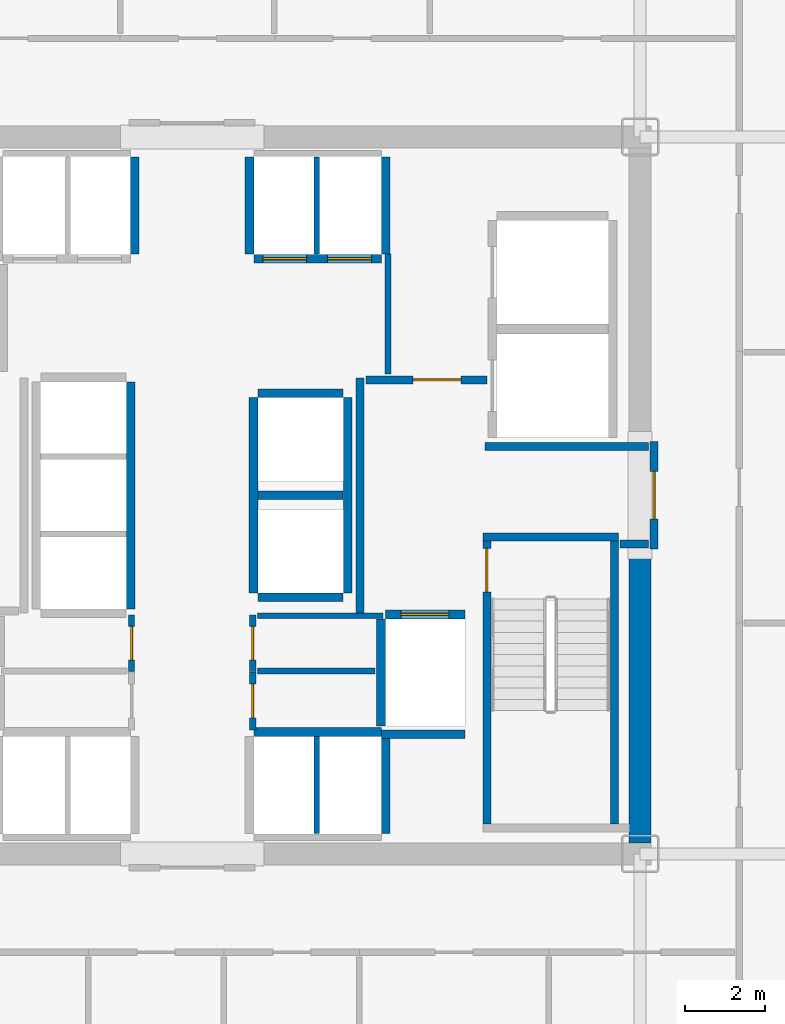
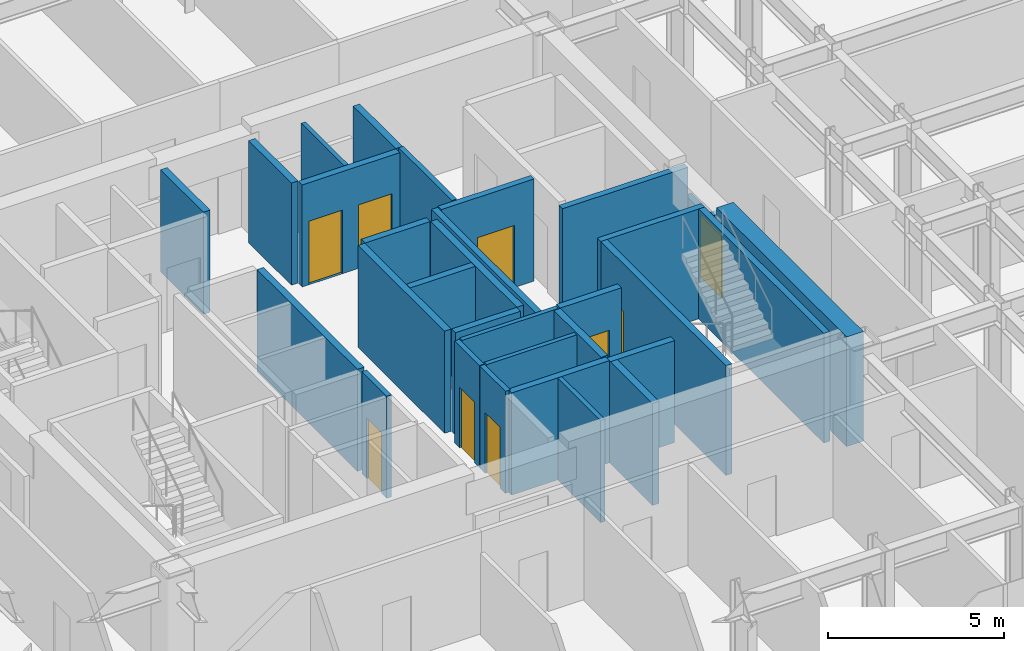
# One storey, part 22 of 26: 32 walls, 9 doors, 9 openings.
"""IFC4 building model written with IfcOpenShell, lengths in metres."""

from ifc_helpers import new_model, si_unit, direction, frame, frame_2d, origin, place, context, subcontext, project, spatial, rectangle, extrude, source, transform, mapped, material, layer, layer_set, type_object, element, fill, save


model = new_model("IFC4")

# Units and contexts
model_context = context("Model", 3, precision=1e-05, world=origin(), true_north=direction((0.0, 1.0)))
body_context = subcontext(model_context, "Body", "Model", "MODEL_VIEW")
ifc_project = project(units=[si_unit("LENGTHUNIT", "METRE"), si_unit("AREAUNIT", "SQUARE_METRE"), si_unit("VOLUMEUNIT", "CUBIC_METRE"), si_unit("PLANEANGLEUNIT", "RADIAN"), si_unit("MASSUNIT", "GRAM", prefix="KILO")], contexts=[model_context])

# Site, building, storey
site_placement = place(None, origin())
site = spatial("IfcSite", under=ifc_project, at=site_placement, CompositionType="ELEMENT")
building_placement = place(site_placement, origin())
building = spatial("IfcBuilding", under=site, at=building_placement, Name="Nefas-Gora Pilgrimage Tower", CompositionType="ELEMENT")
storey_placement = place(building_placement, frame((0.0, 0.0, 106.0)))
storey = spatial("IfcBuildingStorey", under=building, at=storey_placement, Name="L25", CompositionType="ELEMENT", Elevation=106.0)

# Walls
ifc_material_1 = material(Name="Concrete C60/75", Category="concrete")
ifc_layer_1 = layer(ifc_material_1, 0.550048828125)
ifc_layer_set_1 = layer_set([ifc_layer_1], Name="Concrete C60/75")
wall_type_1 = type_object("IfcWallType", Name="SW-CORE-550", PredefinedType="SHEAR", material=ifc_layer_set_1)
shared_shape_1 = source(origin(), body_context, "Body", "SweptSolid", [
    extrude(rectangle(XDim=7.375, YDim=0.550048828125, at=frame_2d((3.6875, 0.0))), origin(), (0.0, 0.0, 1.0), 3.800048828125),
])
wall_1_placement = place(storey_placement, frame((11.25, -8.72509765625, 0.0), z_axis=(0.0, 0.0, 1.0), x_axis=(0.0, 1.0, 0.0)))
element("IfcWall", 1, at=wall_1_placement, inside=storey, type_object=wall_type_1, Name="L25 Core Shear Wall E-South", PredefinedType="SHEAR", context=body_context, shape_type="MappedRepresentation", body=[
    mapped(shared_shape_1, transform((0.0, 0.0, 0.0), x_axis=(1.0, 0.0, 0.0), y_axis=(0.0, 1.0, 0.0), z_axis=(0.0, 0.0, 1.0), scale=1.0)),
])
ifc_material_2 = material(Name="Concrete C45/55", Category="concrete")
ifc_layer_2 = layer(ifc_material_2, 0.199951171875)
ifc_layer_set_2 = layer_set([ifc_layer_2], Name="Concrete C45/55")
wall_type_2 = type_object("IfcWallType", Name="IW-STAIR-200", PredefinedType="SOLIDWALL", material=ifc_layer_set_2)
shared_shape_2 = source(origin(), body_context, "Body", "SweptSolid", [
    extrude(rectangle(XDim=3.39990234375, YDim=0.199951171875, at=frame_2d((1.699951171875, 0.0))), origin(), (0.0, 0.0, 1.0), 3.800048828125),
])
wall_2_placement = place(storey_placement, frame((7.300048828125, -1.050048828125, 0.0), z_axis=(0.0, 0.0, 1.0), x_axis=(1.0, 0.0, 0.0)))
element("IfcWall", 2, at=wall_2_placement, inside=storey, type_object=wall_type_2, Name="L25 Stairwell Shear Wall ST-02-near", PredefinedType="SOLIDWALL", context=body_context, shape_type="MappedRepresentation", body=[
    mapped(shared_shape_2, transform((0.0, 0.0, 0.0), x_axis=(1.0, 0.0, 0.0), y_axis=(0.0, 1.0, 0.0), z_axis=(0.0, 0.0, 1.0), scale=1.0)),
])

# Wall, opening, door
shared_shape_3 = source(origin(), body_context, "Body", "SweptSolid", [
    extrude(rectangle(XDim=7.10009765625, YDim=0.199951171875, at=frame_2d((3.550048828125, 0.0))), origin(), (0.0, 0.0, 1.0), 3.800048828125),
])
wall_3_placement = place(storey_placement, frame((7.39990234375, -1.14990234375, 0.0), z_axis=(0.0, 0.0, 1.0), x_axis=(0.0, -1.0, 0.0)))
wall_3 = element("IfcWall", 3, at=wall_3_placement, inside=storey, type_object=wall_type_2, Name="L25 Stairwell Shear Wall ST-02-left", PredefinedType="SOLIDWALL", context=body_context, shape_type="MappedRepresentation", body=[
    mapped(shared_shape_3, transform((0.0, 0.0, 0.0), x_axis=(1.0, 0.0, 0.0), y_axis=(0.0, 1.0, 0.0), z_axis=(0.0, 0.0, 1.0), scale=1.0)),
])
opening_1_placement = place(wall_3_placement, frame((0.179931640625, 0.0, 0.0)))
opening_1 = element("IfcOpeningElement", 4, at=opening_1_placement, cuts=wall_3, Name="Opening ID-ST1", PredefinedType="OPENING", context=body_context, shape_type="SweptSolid", body=[
    extrude(rectangle(XDim=1.10009765625, YDim=2.14990234375, at=frame_2d((0.550048828125, 1.074951171875))), frame((0.0, 0.10986328125, 0.0), z_axis=(0.0, -1.0, 0.0), x_axis=(1.0, 0.0, 0.0)), (0.0, 0.0, 1.0), 0.219970703125),
])
ifc_material_3 = material(Name="Painted galvanised steel fire stair door", Category="steel")
door_type_1 = type_object("IfcDoorType", Name="DR-INT-STAIR-1100", OperationType="NOTDEFINED", PredefinedType="DOOR", material=ifc_material_3)
shared_shape_4 = source(origin(), body_context, "Body", "SweptSolid", [
    extrude(rectangle(XDim=1.10009765625, YDim=2.14990234375, at=frame_2d((0.550048828125, 1.074951171875))), frame((0.0, 0.02490234375, 0.0), z_axis=(0.0, -1.0, 0.0), x_axis=(1.0, 0.0, 0.0)), (0.0, 0.0, 1.0), 0.050048828125),
])
door_1_placement = place(opening_1_placement, origin())
door_1 = element("IfcDoor", 5, at=door_1_placement, inside=storey, type_object=door_type_1, Name="L25 Protected Exit Stair Door ST-02", OperationType="SINGLE_SWING_RIGHT", OverallHeight=2.14990234375, OverallWidth=1.10009765625, PredefinedType="DOOR", context=body_context, shape_type="MappedRepresentation", body=[
    mapped(shared_shape_4, transform((0.0, 0.0, 0.0), x_axis=(1.0, 0.0, 0.0), y_axis=(0.0, 1.0, 0.0), z_axis=(0.0, 0.0, 1.0), scale=1.0)),
])
fill(opening_1, door_1)

# Wall
wall_4_placement = place(storey_placement, frame((10.60009765625, -1.14990234375, 0.0), z_axis=(0.0, 0.0, 1.0), x_axis=(0.0, -1.0, 0.0)))
element("IfcWall", 6, at=wall_4_placement, inside=storey, type_object=wall_type_2, Name="L25 Stairwell Shear Wall ST-02-right", PredefinedType="SOLIDWALL", context=body_context, shape_type="MappedRepresentation", body=[
    mapped(shared_shape_3, transform((0.0, 0.0, 0.0), x_axis=(1.0, 0.0, 0.0), y_axis=(0.0, 1.0, 0.0), z_axis=(0.0, 0.0, 1.0), scale=1.0)),
])

# Wall, opening, door
ifc_material_4 = material(Name="Concrete C40/50", Category="concrete")
ifc_layer_3 = layer(ifc_material_4, 0.219970703125)
ifc_layer_set_3 = layer_set([ifc_layer_3], Name="Concrete C40/50")
wall_type_3 = type_object("IfcWallType", Name="IW-SHAFT-220", PredefinedType="SOLIDWALL", material=ifc_layer_set_3)
shared_shape_5 = source(origin(), body_context, "Body", "SweptSolid", [
    extrude(rectangle(XDim=2.0, YDim=0.219970703125, at=frame_2d((1.0, 0.0))), origin(), (0.0, 0.0, 1.0), 3.534912109375),
])
wall_5_placement = place(storey_placement, frame((6.85009765625, -2.989990234375, 0.0), z_axis=(0.0, 0.0, 1.0), x_axis=(-1.0, 0.0, 0.0)))
wall_5 = element("IfcWall", 7, at=wall_5_placement, inside=storey, type_object=wall_type_3, Name="L25 Hoistway Wall FFL-02-N", PredefinedType="SOLIDWALL", context=body_context, shape_type="MappedRepresentation", body=[
    mapped(shared_shape_5, transform((0.0, 0.0, 0.0), x_axis=(1.0, 0.0, 0.0), y_axis=(0.0, 1.0, 0.0), z_axis=(0.0, 0.0, 1.0), scale=1.0)),
])
opening_2_placement = place(wall_5_placement, frame((0.39990234375, 0.0, 0.0)))
opening_2 = element("IfcOpeningElement", 8, at=opening_2_placement, cuts=wall_5, Name="Opening LD-FF", PredefinedType="OPENING", context=body_context, shape_type="SweptSolid", body=[
    extrude(rectangle(XDim=1.199951171875, YDim=2.199951171875, at=frame_2d((0.60009765625, 1.10009765625))), frame((0.0, 0.119873046875, 0.0), z_axis=(0.0, -1.0, 0.0), x_axis=(1.0, 0.0, 0.0)), (0.0, 0.0, 1.0), 0.239990234375),
])
ifc_material_5 = material(Name="Fire-service sliding lift landing door")
door_type_2 = type_object("IfcDoorType", Name="DR-LIFT-FSAE-1200", OperationType="SLIDING_TO_LEFT", PredefinedType="DOOR", material=ifc_material_5)
shared_shape_6 = source(origin(), body_context, "Body", "SweptSolid", [
    extrude(rectangle(XDim=1.199951171875, YDim=2.199951171875, at=frame_2d((0.60009765625, 1.10009765625))), frame((0.0, 0.02490234375, 0.0), z_axis=(0.0, -1.0, 0.0), x_axis=(1.0, 0.0, 0.0)), (0.0, 0.0, 1.0), 0.050048828125),
])
door_2_placement = place(opening_2_placement, origin())
door_2 = element("IfcDoor", 9, at=door_2_placement, inside=storey, type_object=door_type_2, Name="L25 Sliding Lift Landing Door FFL-02", OperationType="SLIDING_TO_LEFT", OverallHeight=2.199951171875, OverallWidth=1.199951171875, PredefinedType="DOOR", context=body_context, shape_type="MappedRepresentation", body=[
    mapped(shared_shape_6, transform((0.0, 0.0, 0.0), x_axis=(1.0, 0.0, 0.0), y_axis=(0.0, 1.0, 0.0), z_axis=(0.0, 0.0, 1.0), scale=1.0)),
])
fill(opening_2, door_2)

# Wall
shared_shape_7 = source(origin(), body_context, "Body", "SweptSolid", [
    extrude(rectangle(XDim=2.679931640625, YDim=0.219970703125, at=frame_2d((1.33984375, 0.0))), origin(), (0.0, 0.0, 1.0), 3.534912109375),
])
wall_6_placement = place(storey_placement, frame((4.739990234375, -3.110107421875, 0.0), z_axis=(0.0, 0.0, 1.0), x_axis=(0.0, -1.0, 0.0)))
element("IfcWall", 10, at=wall_6_placement, inside=storey, type_object=wall_type_3, Name="L25 Hoistway Wall FFL-02-W", PredefinedType="SOLIDWALL", context=body_context, shape_type="MappedRepresentation", body=[
    mapped(shared_shape_7, transform((0.0, 0.0, 0.0), x_axis=(1.0, 0.0, 0.0), y_axis=(0.0, 1.0, 0.0), z_axis=(0.0, 0.0, 1.0), scale=1.0)),
])

# Wall, openings, doors
shared_shape_8 = source(origin(), body_context, "Body", "SweptSolid", [
    extrude(rectangle(XDim=3.199951171875, YDim=0.219970703125, at=frame_2d((1.60009765625, 0.0))), origin(), (0.0, 0.0, 1.0), 3.534912109375),
])
wall_7_placement = place(storey_placement, frame((1.550048828125, 5.93994140625, 0.0), z_axis=(0.0, 0.0, 1.0), x_axis=(1.0, 0.0, 0.0)))
wall_7 = element("IfcWall", 11, at=wall_7_placement, inside=storey, type_object=wall_type_3, Name="L25 Hoistway Wall PL1-E-S", PredefinedType="SOLIDWALL", context=body_context, shape_type="MappedRepresentation", body=[
    mapped(shared_shape_8, transform((0.0, 0.0, 0.0), x_axis=(1.0, 0.0, 0.0), y_axis=(0.0, 1.0, 0.0), z_axis=(0.0, 0.0, 1.0), scale=1.0)),
])
opening_3_placement = place(wall_7_placement, frame((0.22509765625, 0.0, 0.0)))
opening_3 = element("IfcOpeningElement", 12, at=opening_3_placement, cuts=wall_7, Name="Opening LD-01", PredefinedType="OPENING", context=body_context, shape_type="SweptSolid", body=[
    extrude(rectangle(XDim=1.10009765625, YDim=2.199951171875, at=frame_2d((0.550048828125, 1.10009765625))), frame((0.0, 0.119873046875, 0.0), z_axis=(0.0, -1.0, 0.0), x_axis=(1.0, 0.0, 0.0)), (0.0, 0.0, 1.0), 0.239990234375),
])
opening_4_placement = place(wall_7_placement, frame((1.85009765625, 0.0, 0.0)))
opening_4 = element("IfcOpeningElement", 13, at=opening_4_placement, cuts=wall_7, Name="Opening LD-01", PredefinedType="OPENING", context=body_context, shape_type="SweptSolid", body=[
    extrude(rectangle(XDim=1.10009765625, YDim=2.199951171875, at=frame_2d((0.550048828125, 1.10009765625))), frame((0.0, 0.119873046875, 0.0), z_axis=(0.0, -1.0, 0.0), x_axis=(1.0, 0.0, 0.0)), (0.0, 0.0, 1.0), 0.239990234375),
])
ifc_material_6 = material(Name="Brushed stainless sliding lift landing door")
door_type_3 = type_object("IfcDoorType", Name="DR-LIFT-PASS-1100", OperationType="DOUBLE_DOOR_SLIDING", PredefinedType="DOOR", material=ifc_material_6)
shared_shape_9 = source(origin(), body_context, "Body", "SweptSolid", [
    extrude(rectangle(XDim=1.10009765625, YDim=2.199951171875, at=frame_2d((0.550048828125, 1.10009765625))), frame((0.0, 0.02490234375, 0.0), z_axis=(0.0, -1.0, 0.0), x_axis=(1.0, 0.0, 0.0)), (0.0, 0.0, 1.0), 0.050048828125),
])
door_3_placement = place(opening_3_placement, origin())
door_3 = element("IfcDoor", 14, at=door_3_placement, inside=storey, type_object=door_type_3, Name="L25 Sliding Lift Landing Door PL1-03", OperationType="DOUBLE_DOOR_SLIDING", OverallHeight=2.199951171875, OverallWidth=1.10009765625, PredefinedType="DOOR", context=body_context, shape_type="MappedRepresentation", body=[
    mapped(shared_shape_9, transform((0.0, 0.0, 0.0), x_axis=(1.0, 0.0, 0.0), y_axis=(0.0, 1.0, 0.0), z_axis=(0.0, 0.0, 1.0), scale=1.0)),
])
fill(opening_3, door_3)
door_4_placement = place(opening_4_placement, origin())
door_4 = element("IfcDoor", 15, at=door_4_placement, inside=storey, type_object=door_type_3, Name="L25 Sliding Lift Landing Door PL1-04", OperationType="DOUBLE_DOOR_SLIDING", OverallHeight=2.199951171875, OverallWidth=1.10009765625, PredefinedType="DOOR", context=body_context, shape_type="MappedRepresentation", body=[
    mapped(shared_shape_9, transform((0.0, 0.0, 0.0), x_axis=(1.0, 0.0, 0.0), y_axis=(0.0, 1.0, 0.0), z_axis=(0.0, 0.0, 1.0), scale=1.0)),
])
fill(opening_4, door_4)

# Walls
wall_8_placement = place(storey_placement, frame((4.75, -5.93994140625, 0.0), z_axis=(0.0, 0.0, 1.0), x_axis=(-1.0, 0.0, 0.0)))
element("IfcWall", 16, at=wall_8_placement, inside=storey, type_object=wall_type_3, Name="L25 Hoistway Wall PL2-E-N", PredefinedType="SOLIDWALL", context=body_context, shape_type="MappedRepresentation", body=[
    mapped(shared_shape_8, transform((0.0, 0.0, 0.0), x_axis=(1.0, 0.0, 0.0), y_axis=(0.0, 1.0, 0.0), z_axis=(0.0, 0.0, 1.0), scale=1.0)),
])
shared_shape_10 = source(origin(), body_context, "Body", "SweptSolid", [
    extrude(rectangle(XDim=2.429931640625, YDim=0.219970703125, at=frame_2d((1.21484375, 0.0))), origin(), (0.0, 0.0, 1.0), 3.534912109375),
])
for number, where, z_axis, x_axis, name in (
    (17, (-1.43994140625, 6.06005859375, 0.0), (0.0, 0.0, 1.0), (0.0, 1.0, 0.0), "L25 Hoistway Wall PL1-W-E"),
    (18, (1.43994140625, 8.489990234375, 0.0), (0.0, 0.0, 1.0), (0.0, -1.0, 0.0), "L25 Hoistway Wall PL1-E-W"),
    (19, (4.860107421875, 6.06005859375, 0.0), (0.0, 0.0, 1.0), (0.0, 1.0, 0.0), "L25 Hoistway Wall PL1-E-E"),
    (20, (4.860107421875, -8.489990234375, 0.0), (0.0, 0.0, 1.0), (0.0, 1.0, 0.0), "L25 Hoistway Wall PL2-E-E"),
):
    element("IfcWall", number, at=place(storey_placement, frame(where, z_axis=z_axis, x_axis=x_axis)), inside=storey, type_object=wall_type_3, Name=name, PredefinedType="SOLIDWALL", context=body_context, shape_type="MappedRepresentation", body=[
        mapped(shared_shape_10, transform((0.0, 0.0, 0.0), x_axis=(1.0, 0.0, 0.0), y_axis=(0.0, 1.0, 0.0), z_axis=(0.0, 0.0, 1.0), scale=1.0)),
    ])
ifc_material_7 = material(Name="Gypsum twin-stud partition")
ifc_layer_4 = layer(ifc_material_7, 0.139892578125)
ifc_layer_set_4 = layer_set([ifc_layer_4], Name="Gypsum twin-stud partition")
wall_type_4 = type_object("IfcWallType", Name="IW-UNIT-140", PredefinedType="PARTITIONING", material=ifc_layer_set_4)
shared_shape_11 = source(origin(), body_context, "Body", "SweptSolid", [
    extrude(rectangle(XDim=2.429931640625, YDim=0.139892578125, at=frame_2d((1.21484375, 0.0))), origin(), (0.0, 0.0, 1.0), 3.534912109375),
])
for number, where, z_axis, x_axis, name in (
    (21, (3.125, 6.06005859375, 0.0), (0.0, 0.0, 1.0), (0.0, 1.0, 0.0), "L25 Hoistway Wall PL1-E-DIV"),
    (22, (3.125, -8.489990234375, 0.0), (0.0, 0.0, 1.0), (0.0, 1.0, 0.0), "L25 Hoistway Wall PL2-E-DIV"),
):
    element("IfcWall", number, at=place(storey_placement, frame(where, z_axis=z_axis, x_axis=x_axis)), inside=storey, type_object=wall_type_4, Name=name, PredefinedType="PARTITIONING", context=body_context, shape_type="MappedRepresentation", body=[
        mapped(shared_shape_11, transform((0.0, 0.0, 0.0), x_axis=(1.0, 0.0, 0.0), y_axis=(0.0, 1.0, 0.0), z_axis=(0.0, 0.0, 1.0), scale=1.0)),
    ])
shared_shape_12 = source(origin(), body_context, "Body", "SweptSolid", [
    extrude(rectangle(XDim=5.7001953125, YDim=0.219970703125, at=frame_2d((2.85009765625, 0.0))), origin(), (0.0, 0.0, 1.0), 3.534912109375),
])
wall_9_placement = place(storey_placement, frame((-1.5400390625, -2.85009765625, 0.0), z_axis=(0.0, 0.0, 1.0), x_axis=(0.0, 1.0, 0.0)))
element("IfcWall", 23, at=wall_9_placement, inside=storey, type_object=wall_type_3, Name="L25 Hoistway Wall PL3-01-03-E", PredefinedType="SOLIDWALL", context=body_context, shape_type="MappedRepresentation", body=[
    mapped(shared_shape_12, transform((0.0, 0.0, 0.0), x_axis=(1.0, 0.0, 0.0), y_axis=(0.0, 1.0, 0.0), z_axis=(0.0, 0.0, 1.0), scale=1.0)),
])
shared_shape_13 = source(origin(), body_context, "Body", "SweptSolid", [
    extrude(rectangle(XDim=2.130126953125, YDim=0.219970703125, at=frame_2d((1.06494140625, 0.0))), origin(), (0.0, 0.0, 1.0), 3.534912109375),
])
for number, where, z_axis, x_axis, name in (
    (24, (1.659912109375, -2.56005859375, 0.0), (0.0, 0.0, 1.0), (1.0, 0.0, 0.0), "L25 Hoistway Wall OBS-01-S"),
    (25, (1.659912109375, 0.0, 0.0), (0.0, 0.0, 1.0), (1.0, 0.0, 0.0), "L25 Hoistway Wall OBS-01-02-DIV"),
    (26, (3.7900390625, 2.56005859375, 0.0), (0.0, 0.0, 1.0), (-1.0, 0.0, 0.0), "L25 Hoistway Wall OBS-02-N"),
):
    element("IfcWall", number, at=place(storey_placement, frame(where, z_axis=z_axis, x_axis=x_axis)), inside=storey, type_object=wall_type_3, Name=name, PredefinedType="SOLIDWALL", context=body_context, shape_type="MappedRepresentation", body=[
        mapped(shared_shape_13, transform((0.0, 0.0, 0.0), x_axis=(1.0, 0.0, 0.0), y_axis=(0.0, 1.0, 0.0), z_axis=(0.0, 0.0, 1.0), scale=1.0)),
    ])
shared_shape_14 = source(origin(), body_context, "Body", "SweptSolid", [
    extrude(rectangle(XDim=4.89990234375, YDim=0.219970703125, at=frame_2d((2.449951171875, 0.0))), origin(), (0.0, 0.0, 1.0), 3.534912109375),
])
for number, where, z_axis, x_axis, name in (
    (27, (1.5400390625, 2.449951171875, 0.0), (0.0, 0.0, 1.0), (0.0, -1.0, 0.0), "L25 Hoistway Wall OBS-01-02-W"),
    (28, (3.909912109375, -2.449951171875, 0.0), (0.0, 0.0, 1.0), (0.0, 1.0, 0.0), "L25 Hoistway Wall OBS-01-02-E"),
):
    element("IfcWall", number, at=place(storey_placement, frame(where, z_axis=z_axis, x_axis=x_axis)), inside=storey, type_object=wall_type_3, Name=name, PredefinedType="SOLIDWALL", context=body_context, shape_type="MappedRepresentation", body=[
        mapped(shared_shape_14, transform((0.0, 0.0, 0.0), x_axis=(1.0, 0.0, 0.0), y_axis=(0.0, 1.0, 0.0), z_axis=(0.0, 0.0, 1.0), scale=1.0)),
    ])
shared_shape_15 = source(origin(), body_context, "Body", "SweptSolid", [
    extrude(rectangle(XDim=2.09521484375, YDim=0.219970703125, at=frame_2d((1.047607421875, 0.0))), origin(), (0.0, 0.0, 1.0), 3.534912109375),
])
wall_10_placement = place(storey_placement, frame((4.7548828125, -6.0, 0.0), z_axis=(0.0, 0.0, 1.0), x_axis=(1.0, 0.0, 0.0)))
element("IfcWall", 29, at=wall_10_placement, inside=storey, type_object=wall_type_3, Name="L25 Riser Shaft Wall 2", PredefinedType="SOLIDWALL", context=body_context, shape_type="MappedRepresentation", body=[
    mapped(shared_shape_15, transform((0.0, 0.0, 0.0), x_axis=(1.0, 0.0, 0.0), y_axis=(0.0, 1.0, 0.0), z_axis=(0.0, 0.0, 1.0), scale=1.0)),
])

# Wall, opening, door
ifc_material_8 = material(Name="Gypsum fire-rated shaftwall")
ifc_layer_5 = layer(ifc_material_8, 0.199951171875)
ifc_layer_set_5 = layer_set([ifc_layer_5], Name="Gypsum fire-rated shaftwall")
wall_type_5 = type_object("IfcWallType", Name="IW-FFLOB-200", PredefinedType="PARTITIONING", material=ifc_layer_set_5)
shared_shape_16 = source(origin(), body_context, "Body", "SweptSolid", [
    extrude(rectangle(XDim=2.7001953125, YDim=0.199951171875, at=frame_2d((1.35009765625, 0.0))), origin(), (0.0, 0.0, 1.0), 2.425048828125),
])
wall_11_placement = place(storey_placement, frame((11.60009765625, -1.35009765625, 0.0), z_axis=(0.0, 0.0, 1.0), x_axis=(0.0, 1.0, 0.0)))
wall_11 = element("IfcWall", 30, at=wall_11_placement, inside=storey, type_object=wall_type_5, Name="L25 FF Lobby East Portal Wall 8", PredefinedType="PARTITIONING", context=body_context, shape_type="MappedRepresentation", body=[
    mapped(shared_shape_16, transform((0.0, 0.0, 0.0), x_axis=(1.0, 0.0, 0.0), y_axis=(0.0, 1.0, 0.0), z_axis=(0.0, 0.0, 1.0), scale=1.0)),
])
opening_5_placement = place(wall_11_placement, frame((0.75, 0.0, 0.0)))
opening_5 = element("IfcOpeningElement", 31, at=opening_5_placement, cuts=wall_11, Name="Opening ID-FF1", PredefinedType="OPENING", context=body_context, shape_type="SweptSolid", body=[
    extrude(rectangle(XDim=1.199951171875, YDim=2.14990234375, at=frame_2d((0.60009765625, 1.074951171875))), frame((0.0, 0.10986328125, 0.0), z_axis=(0.0, -1.0, 0.0), x_axis=(1.0, 0.0, 0.0)), (0.0, 0.0, 1.0), 0.219970703125),
])
ifc_material_9 = material(Name="Smoke-sealed steel firefighting lobby door", Category="steel")
door_type_4 = type_object("IfcDoorType", Name="DR-INT-FFLOB-1200", OperationType="NOTDEFINED", PredefinedType="DOOR", material=ifc_material_9)
shared_shape_17 = source(origin(), body_context, "Body", "SweptSolid", [
    extrude(rectangle(XDim=1.199951171875, YDim=2.14990234375, at=frame_2d((0.60009765625, 1.074951171875))), frame((0.0, 0.02490234375, 0.0), z_axis=(0.0, -1.0, 0.0), x_axis=(1.0, 0.0, 0.0)), (0.0, 0.0, 1.0), 0.050048828125),
])
door_5_placement = place(opening_5_placement, origin())
door_5 = element("IfcDoor", 32, at=door_5_placement, inside=storey, type_object=door_type_4, Name="L25 FF Lobby East Portal Door 2", OperationType="SINGLE_SWING_RIGHT", OverallHeight=2.14990234375, OverallWidth=1.199951171875, PredefinedType="DOOR", context=body_context, shape_type="MappedRepresentation", body=[
    mapped(shared_shape_17, transform((0.0, 0.0, 0.0), x_axis=(1.0, 0.0, 0.0), y_axis=(0.0, 1.0, 0.0), z_axis=(0.0, 0.0, 1.0), scale=1.0)),
])
fill(opening_5, door_5)

# Walls
shared_shape_18 = source(origin(), body_context, "Body", "SweptSolid", [
    extrude(rectangle(XDim=5.89990234375, YDim=0.199951171875, at=frame_2d((2.949951171875, 0.0))), origin(), (0.0, 0.0, 1.0), 3.534912109375),
])
wall_12_placement = place(storey_placement, frame((4.219970703125, -2.949951171875, 0.0), z_axis=(0.0, 0.0, 1.0), x_axis=(0.0, 1.0, 0.0)))
element("IfcWall", 33, at=wall_12_placement, inside=storey, type_object=wall_type_5, Name="L25 FF Lobby East Inner Wall Wall 9", PredefinedType="PARTITIONING", context=body_context, shape_type="MappedRepresentation", body=[
    mapped(shared_shape_18, transform((0.0, 0.0, 0.0), x_axis=(1.0, 0.0, 0.0), y_axis=(0.0, 1.0, 0.0), z_axis=(0.0, 0.0, 1.0), scale=1.0)),
])
shared_shape_19 = source(origin(), body_context, "Body", "SweptSolid", [
    extrude(rectangle(XDim=0.719970703125, YDim=0.199951171875, at=frame_2d((0.35986328125, 0.0))), origin(), (0.0, 0.0, 1.0), 3.534912109375),
])
wall_13_placement = place(storey_placement, frame((10.739990234375, -1.219970703125, 0.0), z_axis=(0.0, 0.0, 1.0), x_axis=(1.0, 0.0, 0.0)))
element("IfcWall", 34, at=wall_13_placement, inside=storey, type_object=wall_type_5, Name="L25 FF Lobby East Throat S Wall 12", PredefinedType="PARTITIONING", context=body_context, shape_type="MappedRepresentation", body=[
    mapped(shared_shape_19, transform((0.0, 0.0, 0.0), x_axis=(1.0, 0.0, 0.0), y_axis=(0.0, 1.0, 0.0), z_axis=(0.0, 0.0, 1.0), scale=1.0)),
])

# Wall, opening, door
shared_shape_20 = source(origin(), body_context, "Body", "SweptSolid", [
    extrude(rectangle(XDim=3.039794921875, YDim=0.199951171875, at=frame_2d((1.52001953125, 0.0))), origin(), (0.0, 0.0, 1.0), 3.534912109375),
])
wall_14_placement = place(storey_placement, frame((4.360107421875, 2.89990234375, 0.0), z_axis=(0.0, 0.0, 1.0), x_axis=(1.0, 0.0, 0.0)))
wall_14 = element("IfcWall", 35, at=wall_14_placement, inside=storey, type_object=wall_type_5, Name="L25 FF Lobby East North Wall Wall 10", PredefinedType="PARTITIONING", context=body_context, shape_type="MappedRepresentation", body=[
    mapped(shared_shape_20, transform((0.0, 0.0, 0.0), x_axis=(1.0, 0.0, 0.0), y_axis=(0.0, 1.0, 0.0), z_axis=(0.0, 0.0, 1.0), scale=1.0)),
])
opening_6_placement = place(wall_14_placement, frame((1.18994140625, 0.0, 0.0)))
opening_6 = element("IfcOpeningElement", 36, at=opening_6_placement, cuts=wall_14, Name="Opening ID-PL1", PredefinedType="OPENING", context=body_context, shape_type="SweptSolid", body=[
    extrude(rectangle(XDim=1.199951171875, YDim=2.14990234375, at=frame_2d((0.60009765625, 1.074951171875))), frame((0.0, 0.10986328125, 0.0), z_axis=(0.0, -1.0, 0.0), x_axis=(1.0, 0.0, 0.0)), (0.0, 0.0, 1.0), 0.219970703125),
])
ifc_material_10 = material(Name="Heavy-duty steel plant room fire door", Category="steel")
door_type_5 = type_object("IfcDoorType", Name="DR-INT-PLANT-1200", OperationType="NOTDEFINED", PredefinedType="DOOR", material=ifc_material_10)
door_6_placement = place(opening_6_placement, origin())
door_6 = element("IfcDoor", 37, at=door_6_placement, inside=storey, type_object=door_type_5, Name="L25 Service Lift Lobby Door Door 3", OperationType="SINGLE_SWING_LEFT", OverallHeight=2.14990234375, OverallWidth=1.199951171875, PredefinedType="DOOR", context=body_context, shape_type="MappedRepresentation", body=[
    mapped(shared_shape_17, transform((0.0, 0.0, 0.0), x_axis=(1.0, 0.0, 0.0), y_axis=(0.0, 1.0, 0.0), z_axis=(0.0, 0.0, 1.0), scale=1.0)),
])
fill(opening_6, door_6)

# Walls
shared_shape_21 = source(origin(), body_context, "Body", "SweptSolid", [
    extrude(rectangle(XDim=4.10986328125, YDim=0.199951171875, at=frame_2d((2.054931640625, 0.0))), origin(), (0.0, 0.0, 1.0), 3.534912109375),
])
wall_15_placement = place(storey_placement, frame((7.35009765625, 1.219970703125, 0.0), z_axis=(0.0, 0.0, 1.0), x_axis=(1.0, 0.0, 0.0)))
element("IfcWall", 38, at=wall_15_placement, inside=storey, type_object=wall_type_5, Name="L25 FF Lobby East Throat N Wall 11", PredefinedType="PARTITIONING", context=body_context, shape_type="MappedRepresentation", body=[
    mapped(shared_shape_21, transform((0.0, 0.0, 0.0), x_axis=(1.0, 0.0, 0.0), y_axis=(0.0, 1.0, 0.0), z_axis=(0.0, 0.0, 1.0), scale=1.0)),
])
ifc_material_11 = material(Name="Gypsum acoustic stud partition")
ifc_layer_6 = layer(ifc_material_11, 0.159912109375)
ifc_layer_set_6 = layer_set([ifc_layer_6], Name="Gypsum acoustic stud partition")
wall_type_6 = type_object("IfcWallType", Name="IW-CORR-160", PredefinedType="PARTITIONING", material=ifc_layer_set_6)
shared_shape_22 = source(origin(), body_context, "Body", "SweptSolid", [
    extrude(rectangle(XDim=3.014892578125, YDim=0.159912109375, at=frame_2d((1.50732421875, 0.0))), origin(), (0.0, 0.0, 1.0), 3.534912109375),
])
wall_16_placement = place(storey_placement, frame((4.919921875, 3.0400390625, 0.0), z_axis=(0.0, 0.0, 1.0), x_axis=(0.0, 1.0, 0.0)))
element("IfcWall", 39, at=wall_16_placement, inside=storey, type_object=wall_type_6, Name="L25 Service Lift Lobby West Wall Wall 15", PredefinedType="PARTITIONING", context=body_context, shape_type="MappedRepresentation", body=[
    mapped(shared_shape_22, transform((0.0, 0.0, 0.0), x_axis=(1.0, 0.0, 0.0), y_axis=(0.0, 1.0, 0.0), z_axis=(0.0, 0.0, 1.0), scale=1.0)),
])
shared_shape_23 = source(origin(), body_context, "Body", "SweptSolid", [
    extrude(rectangle(XDim=2.9501953125, YDim=0.139892578125, at=frame_2d((1.47509765625, 0.0))), origin(), (0.0, 0.0, 1.0), 3.534912109375),
])
wall_17_placement = place(storey_placement, frame((1.639892578125, -4.409912109375, 0.0), z_axis=(0.0, 0.0, 1.0), x_axis=(1.0, 0.0, 0.0)))
element("IfcWall", 40, at=wall_17_placement, inside=storey, type_object=wall_type_4, Name="L25 Clean Blanket and Robe Store Partition Wall 23", PredefinedType="PARTITIONING", context=body_context, shape_type="MappedRepresentation", body=[
    mapped(shared_shape_23, transform((0.0, 0.0, 0.0), x_axis=(1.0, 0.0, 0.0), y_axis=(0.0, 1.0, 0.0), z_axis=(0.0, 0.0, 1.0), scale=1.0)),
])

# Wall, opening, door
shared_shape_24 = source(origin(), body_context, "Body", "SweptSolid", [
    extrude(rectangle(XDim=1.409912109375, YDim=0.159912109375, at=frame_2d((0.705078125, 0.0))), origin(), (0.0, 0.0, 1.0), 3.534912109375),
])
wall_18_placement = place(storey_placement, frame((-1.52001953125, -4.419921875, 0.0), z_axis=(0.0, 0.0, 1.0), x_axis=(0.0, 1.0, 0.0)))
wall_18 = element("IfcWall", 41, at=wall_18_placement, inside=storey, type_object=wall_type_6, Name="L25 Housekeeping and Linen Store Wall 16", PredefinedType="PARTITIONING", context=body_context, shape_type="MappedRepresentation", body=[
    mapped(shared_shape_24, transform((0.0, 0.0, 0.0), x_axis=(1.0, 0.0, 0.0), y_axis=(0.0, 1.0, 0.0), z_axis=(0.0, 0.0, 1.0), scale=1.0)),
])
opening_7_placement = place(wall_18_placement, frame((0.280029296875, 0.0, 0.0)))
opening_7 = element("IfcOpeningElement", 42, at=opening_7_placement, cuts=wall_18, Name="Opening ID-BT1", PredefinedType="OPENING", context=body_context, shape_type="SweptSolid", body=[
    extrude(rectangle(XDim=0.85009765625, YDim=2.10009765625, at=frame_2d((0.425048828125, 1.050048828125))), frame((0.0, 0.08984375, 0.0), z_axis=(0.0, -1.0, 0.0), x_axis=(1.0, 0.0, 0.0)), (0.0, 0.0, 1.0), 0.179931640625),
])
ifc_material_12 = material(Name="Moisture-resistant fire-rated timber door", Category="wood")
door_type_6 = type_object("IfcDoorType", Name="DR-INT-BATH-850", OperationType="NOTDEFINED", PredefinedType="DOOR", material=ifc_material_12)
shared_shape_25 = source(origin(), body_context, "Body", "SweptSolid", [
    extrude(rectangle(XDim=0.85009765625, YDim=2.10009765625, at=frame_2d((0.425048828125, 1.050048828125))), frame((0.0, 0.02490234375, 0.0), z_axis=(0.0, -1.0, 0.0), x_axis=(1.0, 0.0, 0.0)), (0.0, 0.0, 1.0), 0.050048828125),
])
door_7_placement = place(opening_7_placement, origin())
door_7 = element("IfcDoor", 43, at=door_7_placement, inside=storey, type_object=door_type_6, Name="L25 Housekeeping and Linen Store Door 6", OperationType="SINGLE_SWING_RIGHT", OverallHeight=2.10009765625, OverallWidth=0.85009765625, PredefinedType="DOOR", context=body_context, shape_type="MappedRepresentation", body=[
    mapped(shared_shape_25, transform((0.0, 0.0, 0.0), x_axis=(1.0, 0.0, 0.0), y_axis=(0.0, 1.0, 0.0), z_axis=(0.0, 0.0, 1.0), scale=1.0)),
])
fill(opening_7, door_7)

wall_19_placement = place(storey_placement, frame((1.52001953125, -4.419921875, 0.0), z_axis=(0.0, 0.0, 1.0), x_axis=(0.0, 1.0, 0.0)))
wall_19 = element("IfcWall", 44, at=wall_19_placement, inside=storey, type_object=wall_type_6, Name="L25 Clean Blanket and Robe Store Wall 21", PredefinedType="PARTITIONING", context=body_context, shape_type="MappedRepresentation", body=[
    mapped(shared_shape_24, transform((0.0, 0.0, 0.0), x_axis=(1.0, 0.0, 0.0), y_axis=(0.0, 1.0, 0.0), z_axis=(0.0, 0.0, 1.0), scale=1.0)),
])
opening_8_placement = place(wall_19_placement, frame((0.280029296875, 0.0, 0.0)))
opening_8 = element("IfcOpeningElement", 45, at=opening_8_placement, cuts=wall_19, Name="Opening ID-BT1", PredefinedType="OPENING", context=body_context, shape_type="SweptSolid", body=[
    extrude(rectangle(XDim=0.85009765625, YDim=2.10009765625, at=frame_2d((0.425048828125, 1.050048828125))), frame((0.0, 0.08984375, 0.0), z_axis=(0.0, -1.0, 0.0), x_axis=(1.0, 0.0, 0.0)), (0.0, 0.0, 1.0), 0.179931640625),
])
door_8_placement = place(opening_8_placement, origin())
door_8 = element("IfcDoor", 46, at=door_8_placement, inside=storey, type_object=door_type_6, Name="L25 Clean Blanket and Robe Store Door 8", OperationType="SINGLE_SWING_RIGHT", OverallHeight=2.10009765625, OverallWidth=0.85009765625, PredefinedType="DOOR", context=body_context, shape_type="MappedRepresentation", body=[
    mapped(shared_shape_25, transform((0.0, 0.0, 0.0), x_axis=(1.0, 0.0, 0.0), y_axis=(0.0, 1.0, 0.0), z_axis=(0.0, 0.0, 1.0), scale=1.0)),
])
fill(opening_8, door_8)

# Wall
shared_shape_26 = source(origin(), body_context, "Body", "SweptSolid", [
    extrude(rectangle(XDim=3.150146484375, YDim=0.139892578125, at=frame_2d((1.5751953125, 0.0))), origin(), (0.0, 0.0, 1.0), 3.534912109375),
])
wall_20_placement = place(storey_placement, frame((1.639892578125, -3.02001953125, 0.0), z_axis=(0.0, 0.0, 1.0), x_axis=(1.0, 0.0, 0.0)))
element("IfcWall", 47, at=wall_20_placement, inside=storey, type_object=wall_type_4, Name="L25 Clean Blanket and Robe Store Partition Wall 22", PredefinedType="PARTITIONING", context=body_context, shape_type="MappedRepresentation", body=[
    mapped(shared_shape_26, transform((0.0, 0.0, 0.0), x_axis=(1.0, 0.0, 0.0), y_axis=(0.0, 1.0, 0.0), z_axis=(0.0, 0.0, 1.0), scale=1.0)),
])

# Wall, opening, door
shared_shape_27 = source(origin(), body_context, "Body", "SweptSolid", [
    extrude(rectangle(XDim=1.449951171875, YDim=0.159912109375, at=frame_2d((0.72509765625, 0.0))), origin(), (0.0, 0.0, 1.0), 3.534912109375),
])
wall_21_placement = place(storey_placement, frame((1.52001953125, -5.889892578125, 0.0), z_axis=(0.0, 0.0, 1.0), x_axis=(0.0, 1.0, 0.0)))
wall_21 = element("IfcWall", 48, at=wall_21_placement, inside=storey, type_object=wall_type_6, Name="L25 Core Amenity Supply Store Wall 24", PredefinedType="PARTITIONING", context=body_context, shape_type="MappedRepresentation", body=[
    mapped(shared_shape_27, transform((0.0, 0.0, 0.0), x_axis=(1.0, 0.0, 0.0), y_axis=(0.0, 1.0, 0.0), z_axis=(0.0, 0.0, 1.0), scale=1.0)),
])
opening_9_placement = place(wall_21_placement, frame((0.300048828125, 0.0, 0.0)))
opening_9 = element("IfcOpeningElement", 49, at=opening_9_placement, cuts=wall_21, Name="Opening ID-BT1", PredefinedType="OPENING", context=body_context, shape_type="SweptSolid", body=[
    extrude(rectangle(XDim=0.85009765625, YDim=2.10009765625, at=frame_2d((0.425048828125, 1.050048828125))), frame((0.0, 0.08984375, 0.0), z_axis=(0.0, -1.0, 0.0), x_axis=(1.0, 0.0, 0.0)), (0.0, 0.0, 1.0), 0.179931640625),
])
door_9_placement = place(opening_9_placement, origin())
door_9 = element("IfcDoor", 50, at=door_9_placement, inside=storey, type_object=door_type_6, Name="L25 Core Amenity Supply Store Door 9", OperationType="SINGLE_SWING_LEFT", OverallHeight=2.10009765625, OverallWidth=0.85009765625, PredefinedType="DOOR", context=body_context, shape_type="MappedRepresentation", body=[
    mapped(shared_shape_25, transform((0.0, 0.0, 0.0), x_axis=(1.0, 0.0, 0.0), y_axis=(0.0, 1.0, 0.0), z_axis=(0.0, 0.0, 1.0), scale=1.0)),
])
fill(opening_9, door_9)

save(model, "model.ifc")
